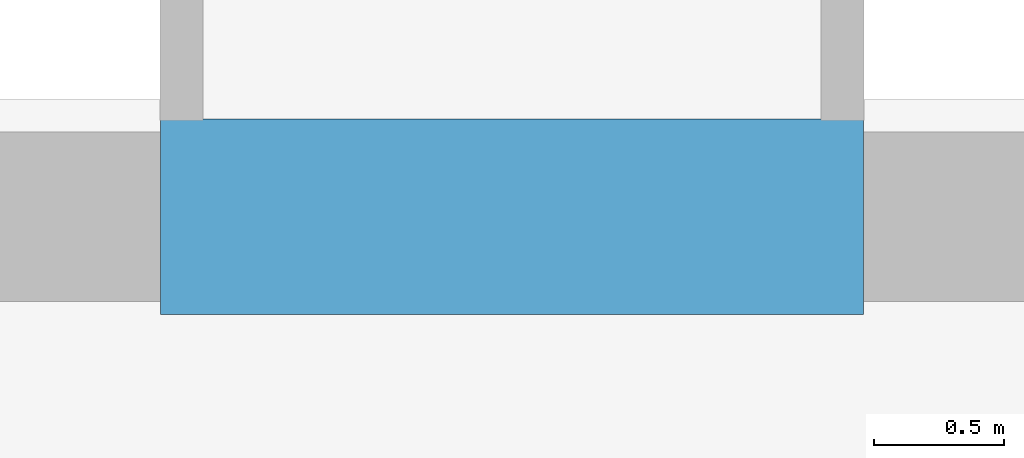
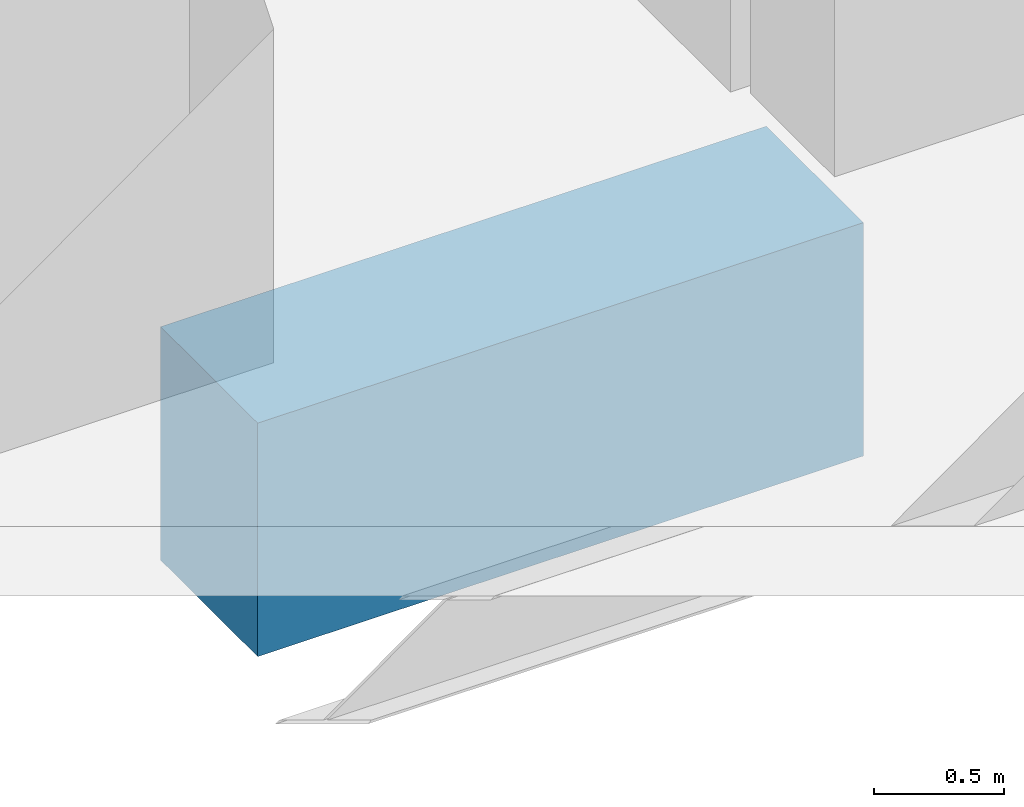
# One storey, part 8 of 33: 1 beam.
"""IFC4 building model written with IfcOpenShell, lengths in metres."""

from ifc_helpers import new_model, si_unit, direction, frame, origin, origin_2d, place, context, subcontext, project, spatial, rectangle, extrude, material, material_profile, profile_set, type_object, element, save


model = new_model("IFC4")

# Units and contexts
model_context = context("Model", 3, precision=1e-05, world=origin(), true_north=direction((0.0, 1.0)))
body_context = subcontext(model_context, "Body", "Model", "MODEL_VIEW")
ifc_project = project(units=[si_unit("LENGTHUNIT", "METRE"), si_unit("AREAUNIT", "SQUARE_METRE"), si_unit("VOLUMEUNIT", "CUBIC_METRE"), si_unit("PLANEANGLEUNIT", "RADIAN"), si_unit("MASSUNIT", "GRAM", prefix="KILO")], contexts=[model_context])

# Site, building, storey
site_placement = place(None, origin())
site = spatial("IfcSite", under=ifc_project, at=site_placement, CompositionType="ELEMENT")
building_placement = place(site_placement, origin())
building = spatial("IfcBuilding", under=site, at=building_placement, Name="Zuhayl Quay Hotel", CompositionType="ELEMENT")
storey_placement = place(building_placement, frame((0.0, 0.0, 199.89990234375)))
storey = spatial("IfcBuildingStorey", under=building, at=storey_placement, Name="L50", CompositionType="ELEMENT", Elevation=199.89990234375)

# Beam
ifc_material = material(Name="Concrete C60/75", Category="concrete")
ifc_material_profile = material_profile(ifc_material, rectangle(XDim=0.75, YDim=1.10009765625, at=origin_2d()), Name="RC750X1100")
ifc_profile_set = profile_set([ifc_material_profile], Name="Concrete C60/75")
beam_type = type_object("IfcBeamType", Name="BM_CB2_RC750", PredefinedType="T_BEAM", material=ifc_profile_set)
beam_placement = place(storey_placement, frame((-1.35009765625, 2.14990234375, -0.77001953125), z_axis=(1.0, 0.0, 0.0), x_axis=(0.0, 1.0, 0.0)))
element("IfcBeam", 1, at=beam_placement, inside=storey, type_object=beam_type, Name="L50 Core Coupling Beam South", PredefinedType="T_BEAM", context=body_context, shape_type="SweptSolid", body=[
    extrude(rectangle(XDim=0.75, YDim=1.10009765625, at=origin_2d()), origin(), (0.0, 0.0, 1.0), 2.7001953125),
])

save(model, "model.ifc")
